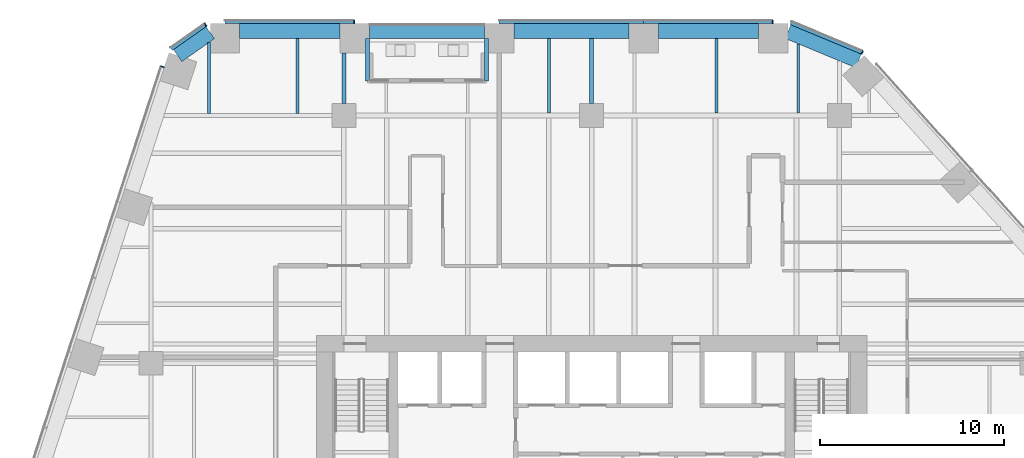
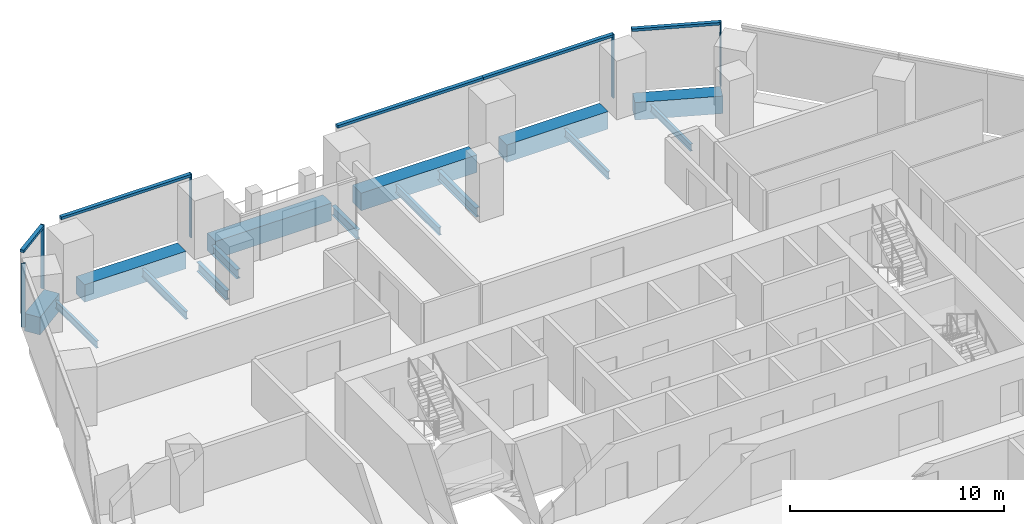
# One storey, part 15 of 31: 15 beams, 10 members, 4 elements without a shape of their own.
"""IFC4 building model written with IfcOpenShell, lengths in metres."""

from ifc_helpers import new_model, si_unit, direction, frame, origin, origin_2d, place, context, subcontext, project, spatial, rectangle, i_section, extrude, material, layer, layer_set, material_profile, profile_set, type_object, element, aggregate, save


model = new_model("IFC4")

# Units and contexts
model_context = context("Model", 3, precision=1e-05, world=origin(), true_north=direction((0.0, 1.0)))
body_context = subcontext(model_context, "Body", "Model", "MODEL_VIEW")
ifc_project = project(units=[si_unit("LENGTHUNIT", "METRE"), si_unit("AREAUNIT", "SQUARE_METRE"), si_unit("VOLUMEUNIT", "CUBIC_METRE"), si_unit("PLANEANGLEUNIT", "RADIAN"), si_unit("MASSUNIT", "GRAM", prefix="KILO")], contexts=[model_context])

# Site, building, storey
site_placement = place(None, origin())
site = spatial("IfcSite", under=ifc_project, at=site_placement, CompositionType="ELEMENT")
building_placement = place(site_placement, origin())
building = spatial("IfcBuilding", under=site, at=building_placement, Name="Isthmus Gate Tower", CompositionType="ELEMENT")
storey_placement = place(building_placement, frame((0.0, 0.0, 113.5)))
storey = spatial("IfcBuildingStorey", under=building, at=storey_placement, Name="L27", CompositionType="ELEMENT", Elevation=113.5)

# Curtain wall, members
ifc_material_1 = material(Name="Aluminium, pale champagne anodised", Category="aluminium")
ifc_layer = layer(ifc_material_1, 0.199951171875)
ifc_layer_set = layer_set([ifc_layer], Name="CW-1 UNITISED CURTAIN WALL 200 DEEP")
curtain_wall_type = type_object("IfcCurtainWallType", Name="CW-1 UNITISED CURTAIN WALL 200 DEEP", PredefinedType="NOTDEFINED", material=ifc_layer_set)
curtain_wall_1_placement = place(storey_placement, origin())
curtain_wall_1 = element("IfcCurtainWall", 1, at=curtain_wall_1_placement, inside=storey, type_object=curtain_wall_type, Name="CW-1 N L27", PredefinedType="NOTDEFINED")
ifc_material_2 = material(Name="Aluminium, pale champagne anodised", Category="aluminium")
ifc_material_profile_1 = material_profile(ifc_material_2, rectangle(XDim=0.06005859375, YDim=0.199951171875, at=origin_2d()), Name="60x200")
ifc_profile_set_1 = profile_set([ifc_material_profile_1], Name="Aluminium, pale champagne anodised")
member_type_1 = type_object("IfcMemberType", Name="CW-1 MULLION 60 X 200", PredefinedType="MULLION", material=ifc_profile_set_1)
member_1_placement = place(storey_placement, frame((9.871826171875, 32.10009765625, 0.0), z_axis=(0.0, 0.0, 1.0), x_axis=(-1.0, 0.0, 0.0)))
member_1 = element("IfcMember", 2, at=member_1_placement, type_object=member_type_1, Name="CW-1 mullion", PredefinedType="MULLION", context=body_context, shape_type="SweptSolid", body=[
    extrude(rectangle(XDim=0.06005859375, YDim=0.199951171875, at=origin_2d()), origin(), (0.0, 0.0, 1.0), 3.64990234375),
])
member_2_placement = place(storey_placement, frame((-12.936767578125, 32.10009765625, 0.0), z_axis=(0.0, 0.0, 1.0), x_axis=(-1.0, 0.0, 0.0)))
member_2 = element("IfcMember", 3, at=member_2_placement, type_object=member_type_1, Name="CW-1 mullion", PredefinedType="MULLION", context=body_context, shape_type="SweptSolid", body=[
    extrude(rectangle(XDim=0.06005859375, YDim=0.199951171875, at=origin_2d()), origin(), (0.0, 0.0, 1.0), 3.64990234375),
])

# Curtain wall, member
curtain_wall_2_placement = place(storey_placement, origin())
curtain_wall_2 = element("IfcCurtainWall", 4, at=curtain_wall_2_placement, inside=storey, type_object=curtain_wall_type, Name="CW-1 N-NW L27", PredefinedType="NOTDEFINED")
member_3_placement = place(storey_placement, frame((-21.031005859375, 31.943115234375, 0.0), z_axis=(0.0, 0.0, 1.0), x_axis=(-0.81785959165, -0.57541783805, 0.0)))
member_3 = element("IfcMember", 5, at=member_3_placement, type_object=member_type_1, Name="CW-1 mullion", PredefinedType="MULLION", context=body_context, shape_type="SweptSolid", body=[
    extrude(rectangle(XDim=0.06005859375, YDim=0.199951171875, at=origin_2d()), origin(), (0.0, 0.0, 1.0), 3.64990234375),
])

curtain_wall_3_placement = place(storey_placement, origin())
curtain_wall_3 = element("IfcCurtainWall", 6, at=curtain_wall_3_placement, inside=storey, type_object=curtain_wall_type, Name="CW-1 NW L27", PredefinedType="NOTDEFINED")
member_4_placement = place(storey_placement, frame((-23.380615234375, 29.656494140625, 0.0), z_axis=(0.0, 0.0, 1.0), x_axis=(-0.309016994375, -0.951056516295, 0.0)))
member_4 = element("IfcMember", 7, at=member_4_placement, type_object=member_type_1, Name="CW-1 mullion", PredefinedType="MULLION", context=body_context, shape_type="SweptSolid", body=[
    extrude(rectangle(XDim=0.06005859375, YDim=0.199951171875, at=origin_2d()), origin(), (0.0, 0.0, 1.0), 3.64990234375),
])
aggregate(curtain_wall_3, [member_4])

curtain_wall_4_placement = place(storey_placement, origin())
curtain_wall_4 = element("IfcCurtainWall", 8, at=curtain_wall_4_placement, inside=storey, type_object=curtain_wall_type, Name="CW-1 NE-N L27", PredefinedType="NOTDEFINED")
member_5_placement = place(storey_placement, frame((14.744140625, 30.427490234375, 0.0), z_axis=(0.0, 0.0, 1.0), x_axis=(-0.923353128387, 0.383951820282, 0.0)))
member_5 = element("IfcMember", 9, at=member_5_placement, type_object=member_type_1, Name="CW-1 mullion", PredefinedType="MULLION", context=body_context, shape_type="SweptSolid", body=[
    extrude(rectangle(XDim=0.06005859375, YDim=0.199951171875, at=origin_2d()), origin(), (0.0, 0.0, 1.0), 3.64990234375),
])

# Member
ifc_material_3 = material(Name="Aluminium, pale champagne anodised", Category="aluminium")
ifc_material_profile_2 = material_profile(ifc_material_3, rectangle(XDim=0.199951171875, YDim=0.14990234375, at=origin_2d()), Name="200x150")
ifc_profile_set_2 = profile_set([ifc_material_profile_2], Name="Aluminium, pale champagne anodised")
member_type_2 = type_object("IfcMemberType", Name="CW-1 TRANSOM 200 X 150", PredefinedType="USERDEFINED", material=ifc_profile_set_2)
member_6_placement = place(storey_placement, frame((9.841796875, 32.10009765625, 3.574951171875), z_axis=(-1.0, 0.0, 0.0), x_axis=(0.0, -1.0, 0.0)))
member_6 = element("IfcMember", 10, at=member_6_placement, type_object=member_type_2, Name="CW-1 transom", ObjectType="TRANSOM", PredefinedType="USERDEFINED", context=body_context, shape_type="SweptSolid", body=[
    extrude(rectangle(XDim=0.199951171875, YDim=0.14990234375, at=origin_2d()), origin(), (0.0, 0.0, 1.0), 7.009521484375),
])

member_7_placement = place(storey_placement, frame((2.832275390625, 32.10009765625, 3.574951171875), z_axis=(-1.0, 0.0, 0.0), x_axis=(0.0, -1.0, 0.0)))
member_7 = element("IfcMember", 11, at=member_7_placement, type_object=member_type_2, Name="CW-1 transom", ObjectType="TRANSOM", PredefinedType="USERDEFINED", context=body_context, shape_type="SweptSolid", body=[
    extrude(rectangle(XDim=0.199951171875, YDim=0.14990234375, at=origin_2d()), origin(), (0.0, 0.0, 1.0), 7.869384765625),
])

member_8_placement = place(storey_placement, frame((-12.966796875, 32.10009765625, 3.574951171875), z_axis=(-1.0, 0.0, 0.0), x_axis=(0.0, -1.0, 0.0)))
member_8 = element("IfcMember", 12, at=member_8_placement, type_object=member_type_2, Name="CW-1 transom", ObjectType="TRANSOM", PredefinedType="USERDEFINED", context=body_context, shape_type="SweptSolid", body=[
    extrude(rectangle(XDim=0.199951171875, YDim=0.14990234375, at=origin_2d()), origin(), (0.0, 0.0, 1.0), 7.009521484375),
])

aggregate(curtain_wall_1, [member_1, member_6, member_7, member_2, member_8])

member_9_placement = place(storey_placement, frame((-21.055419921875, 31.92578125, 3.574951171875), z_axis=(-0.817868595604, -0.575405040233, 0.0), x_axis=(0.575405040233, -0.817868595604, 0.0)))
member_9 = element("IfcMember", 13, at=member_9_placement, type_object=member_type_2, Name="CW-1 transom", ObjectType="TRANSOM", PredefinedType="USERDEFINED", context=body_context, shape_type="SweptSolid", body=[
    extrude(rectangle(XDim=0.199951171875, YDim=0.14990234375, at=origin_2d()), origin(), (0.0, 0.0, 1.0), 2.258544921875),
])

aggregate(curtain_wall_2, [member_3, member_9])

member_10_placement = place(storey_placement, frame((14.716552734375, 30.43896484375, 3.574951171875), z_axis=(-0.923358236369, 0.383939536033, 0.0), x_axis=(-0.383939536033, -0.923358236369, 0.0)))
member_10 = element("IfcMember", 14, at=member_10_placement, type_object=member_type_2, Name="CW-1 transom", ObjectType="TRANSOM", PredefinedType="USERDEFINED", context=body_context, shape_type="SweptSolid", body=[
    extrude(rectangle(XDim=0.199951171875, YDim=0.14990234375, at=origin_2d()), origin(), (0.0, 0.0, 1.0), 4.181640625),
])

aggregate(curtain_wall_4, [member_5, member_10])

# Beams
ifc_material_4 = material(Name="Concrete f'c 70 MPa", Category="concrete")
ifc_material_profile_3 = material_profile(ifc_material_4, rectangle(XDim=0.800048828125, YDim=1.0, at=origin_2d()), Name="RC 800X1000")
ifc_profile_set_3 = profile_set([ifc_material_profile_3], Name="Concrete f'c 70 MPa")
beam_type_1 = type_object("IfcBeamType", Name="RC SPANDREL 800 X 1000", PredefinedType="SPANDREL", material=ifc_profile_set_3)
beam_1_placement = place(storey_placement, frame((10.701904296875, 31.56689453125, -0.5), z_axis=(0.923334166719, -0.383997417399, 0.0), x_axis=(0.383997417399, 0.923334166719, 0.0)))
element("IfcBeam", 15, at=beam_1_placement, inside=storey, type_object=beam_type_1, Name="str-spandrel-L27-00", PredefinedType="SPANDREL", context=body_context, shape_type="SweptSolid", body=[
    extrude(rectangle(XDim=0.800048828125, YDim=1.0, at=origin_2d()), origin(), (0.0, 0.0, 1.0), 4.15234375),
])
beam_2_placement = place(storey_placement, frame((-22.553466796875, 30.260498046875, -0.5), z_axis=(0.817857331203, 0.575421050882, 0.0), x_axis=(-0.575421050882, 0.817857331203, 0.0)))
element("IfcBeam", 16, at=beam_2_placement, inside=storey, type_object=beam_type_1, Name="str-spandrel-L27-22", PredefinedType="SPANDREL", context=body_context, shape_type="SweptSolid", body=[
    extrude(rectangle(XDim=0.800048828125, YDim=1.0, at=origin_2d()), origin(), (0.0, 0.0, 1.0), 2.173095703125),
])
beam_3_placement = place(storey_placement, frame((-19.17626953125, 31.60009765625, -0.5), z_axis=(1.0, 0.0, 0.0), x_axis=(0.0, 1.0, 0.0)))
element("IfcBeam", 17, at=beam_3_placement, inside=storey, type_object=beam_type_1, Name="str-spandrel-L27-23", PredefinedType="SPANDREL", context=body_context, shape_type="SweptSolid", body=[
    extrude(rectangle(XDim=0.800048828125, YDim=1.0, at=origin_2d()), origin(), (0.0, 0.0, 1.0), 5.469482421875),
])
for number, where, z_axis, x_axis, name in (
    (18, (-12.106689453125, 31.60009765625, -0.5), (1.0, 0.0, 0.0), (0.0, 1.0, 0.0), "str-spandrel-L27-24"),
    (19, (-4.2373046875, 31.60009765625, -0.5), (1.0, 0.0, 0.0), (0.0, 1.0, 0.0), "str-spandrel-L27-25"),
):
    element("IfcBeam", number, at=place(storey_placement, frame(where, z_axis=z_axis, x_axis=x_axis)), inside=storey, type_object=beam_type_1, Name=name, PredefinedType="SPANDREL", context=body_context, shape_type="SweptSolid", body=[
        extrude(rectangle(XDim=0.800048828125, YDim=1.0, at=origin_2d()), origin(), (0.0, 0.0, 1.0), 6.26953125),
    ])
beam_4_placement = place(storey_placement, frame((3.63232421875, 31.60009765625, -0.5), z_axis=(1.0, 0.0, 0.0), x_axis=(0.0, 1.0, 0.0)))
element("IfcBeam", 20, at=beam_4_placement, inside=storey, type_object=beam_type_1, Name="str-spandrel-L27-26", PredefinedType="SPANDREL", context=body_context, shape_type="SweptSolid", body=[
    extrude(rectangle(XDim=0.800048828125, YDim=1.0, at=origin_2d()), origin(), (0.0, 0.0, 1.0), 5.469482421875),
])
ifc_material_5 = material(Name="Structural steel ASTM A992 Gr 50", Category="steel")
ifc_material_profile_4 = material_profile(ifc_material_5, i_section(OverallWidth=0.1396484375, OverallDepth=0.4033203125, WebThickness=0.00634765625, FlangeThickness=0.010986328125, at=origin_2d()), Name="W16X31")
ifc_profile_set_4 = profile_set([ifc_material_profile_4], Name="Structural steel ASTM A992 Gr 50")
beam_type_2 = type_object("IfcBeamType", Name="STEEL FLOOR BEAM W16X31", PredefinedType="JOIST", material=ifc_profile_set_4)
beam_5_placement = place(storey_placement, frame((-20.846435546875, 27.1142578125, -0.3515625), z_axis=(0.0, 1.0, 0.0), x_axis=(-1.0, 0.0, 0.0)))
element("IfcBeam", 21, at=beam_5_placement, inside=storey, type_object=beam_type_2, Name="str-beam-L27-11-00", PredefinedType="JOIST", context=body_context, shape_type="SweptSolid", body=[
    extrude(i_section(OverallWidth=0.1396484375, OverallDepth=0.4033203125, WebThickness=0.00634765625, FlangeThickness=0.010986328125, at=origin_2d()), origin(), (0.0, 0.0, 1.0), 3.858154296875),
])
beam_6_placement = place(storey_placement, frame((11.267578125, 27.1318359375, -0.3515625), z_axis=(0.0, 1.0, 0.0), x_axis=(-1.0, 0.0, 0.0)))
element("IfcBeam", 22, at=beam_6_placement, inside=storey, type_object=beam_type_2, Name="str-beam-L27-23-02", PredefinedType="JOIST", context=body_context, shape_type="SweptSolid", body=[
    extrude(i_section(OverallWidth=0.1396484375, OverallDepth=0.4033203125, WebThickness=0.00634765625, FlangeThickness=0.010986328125, at=origin_2d()), origin(), (0.0, 0.0, 1.0), 3.7666015625),
])
ifc_material_6 = material(Name="Structural steel ASTM A992 Gr 50", Category="steel")
ifc_material_profile_5 = material_profile(ifc_material_6, i_section(OverallWidth=0.15234375, OverallDepth=0.45068359375, WebThickness=0.0078125, FlangeThickness=0.010986328125, at=origin_2d()), Name="W18X35")
ifc_profile_set_5 = profile_set([ifc_material_profile_5], Name="Structural steel ASTM A992 Gr 50")
beam_type_3 = type_object("IfcBeamType", Name="STEEL FLOOR BEAM W18X35", PredefinedType="JOIST", material=ifc_profile_set_5)
beam_7_placement = place(storey_placement, frame((-16.0185546875, 27.1142578125, -0.37548828125), z_axis=(0.0, 1.0, 0.0), x_axis=(-1.0, 0.0, 0.0)))
element("IfcBeam", 23, at=beam_7_placement, inside=storey, type_object=beam_type_3, Name="str-beam-L27-11-01", PredefinedType="JOIST", context=body_context, shape_type="SweptSolid", body=[
    extrude(i_section(OverallWidth=0.15234375, OverallDepth=0.45068359375, WebThickness=0.0078125, FlangeThickness=0.010986328125, at=origin_2d()), origin(), (0.0, 0.0, 1.0), 4.085693359375),
])
for number, where, z_axis, x_axis, name in (
    (24, (-2.31982421875, 27.1318359375, -0.37548828125), (0.0, 1.0, 0.0), (-1.0, 0.0, 0.0), "str-beam-L27-18-02"),
    (25, (6.802490234375, 27.1318359375, -0.37548828125), (0.0, 1.0, 0.0), (-1.0, 0.0, 0.0), "str-beam-L27-23-01"),
):
    element("IfcBeam", number, at=place(storey_placement, frame(where, z_axis=z_axis, x_axis=x_axis)), inside=storey, type_object=beam_type_3, Name=name, PredefinedType="JOIST", context=body_context, shape_type="SweptSolid", body=[
        extrude(i_section(OverallWidth=0.15234375, OverallDepth=0.45068359375, WebThickness=0.0078125, FlangeThickness=0.010986328125, at=origin_2d()), origin(), (0.0, 0.0, 1.0), 4.068115234375),
    ])
ifc_material_7 = material(Name="Structural steel ASTM A992 Gr 50", Category="steel")
ifc_material_profile_6 = material_profile(ifc_material_7, i_section(OverallWidth=0.20947265625, OverallDepth=0.533447265625, WebThickness=0.009521484375, FlangeThickness=0.015869140625, at=origin_2d()), Name="W21X62")
ifc_profile_set_6 = profile_set([ifc_material_profile_6], Name="Structural steel ASTM A992 Gr 50")
beam_type_4 = type_object("IfcBeamType", Name="STEEL GIRDER W21X62", PredefinedType="BEAM", material=ifc_profile_set_6)
beam_8_placement = place(storey_placement, frame((-13.5, 27.64990234375, -0.416748046875), z_axis=(0.0, 1.0, 0.0), x_axis=(-1.0, 0.0, 0.0)))
element("IfcBeam", 26, at=beam_8_placement, inside=storey, type_object=beam_type_4, Name="str-girder-L27-28", PredefinedType="BEAM", context=body_context, shape_type="SweptSolid", body=[
    extrude(i_section(OverallWidth=0.20947265625, OverallDepth=0.533447265625, WebThickness=0.009521484375, FlangeThickness=0.015869140625, at=origin_2d()), origin(), (0.0, 0.0, 1.0), 2.75),
])
beam_9_placement = place(storey_placement, frame((0.0, 27.64990234375, -0.416748046875), z_axis=(0.0, 1.0, 0.0), x_axis=(-1.0, 0.0, 0.0)))
element("IfcBeam", 27, at=beam_9_placement, inside=storey, type_object=beam_type_4, Name="str-girder-L27-31", PredefinedType="BEAM", context=body_context, shape_type="SweptSolid", body=[
    extrude(i_section(OverallWidth=0.20947265625, OverallDepth=0.533447265625, WebThickness=0.009521484375, FlangeThickness=0.015869140625, at=origin_2d()), origin(), (0.0, 0.0, 1.0), 3.550048828125),
])
ifc_material_8 = material(Name="Structural steel ASTM A992 Gr 50", Category="steel")
ifc_material_profile_7 = material_profile(ifc_material_8, i_section(OverallWidth=0.20947265625, OverallDepth=0.533447265625, WebThickness=0.009521484375, FlangeThickness=0.015869140625, at=origin_2d()), Name="W21X62")
ifc_profile_set_7 = profile_set([ifc_material_profile_7], Name="Structural steel ASTM A992 Gr 50")
beam_type_5 = type_object("IfcBeamType", Name="STEEL TRIMMER W21X62", PredefinedType="BEAM", material=ifc_profile_set_7)
for number, where, z_axis, x_axis, name in (
    (28, (-5.732421875, 31.199951171875, -0.416748046875), (0.0, -1.0, 0.0), (1.0, 0.0, 0.0), "str-loggiatrim-L27-01-A"),
    (29, (-12.21142578125, 31.199951171875, -0.416748046875), (0.0, -1.0, 0.0), (1.0, 0.0, 0.0), "str-loggiatrim-L27-01-C"),
):
    element("IfcBeam", number, at=place(storey_placement, frame(where, z_axis=z_axis, x_axis=x_axis)), inside=storey, type_object=beam_type_5, Name=name, PredefinedType="BEAM", context=body_context, shape_type="SweptSolid", body=[
        extrude(i_section(OverallWidth=0.20947265625, OverallDepth=0.533447265625, WebThickness=0.009521484375, FlangeThickness=0.015869140625, at=origin_2d()), origin(), (0.0, 0.0, 1.0), 2.314208984375),
    ])

save(model, "model.ifc")
